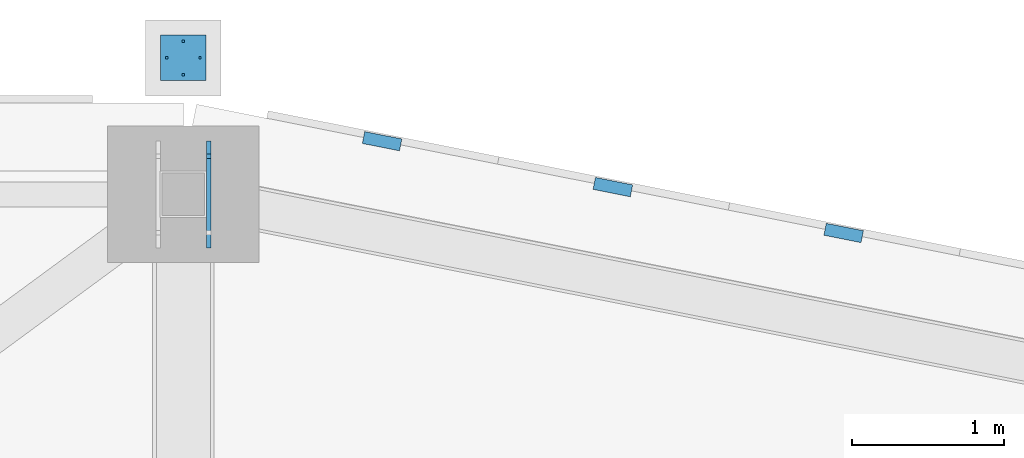
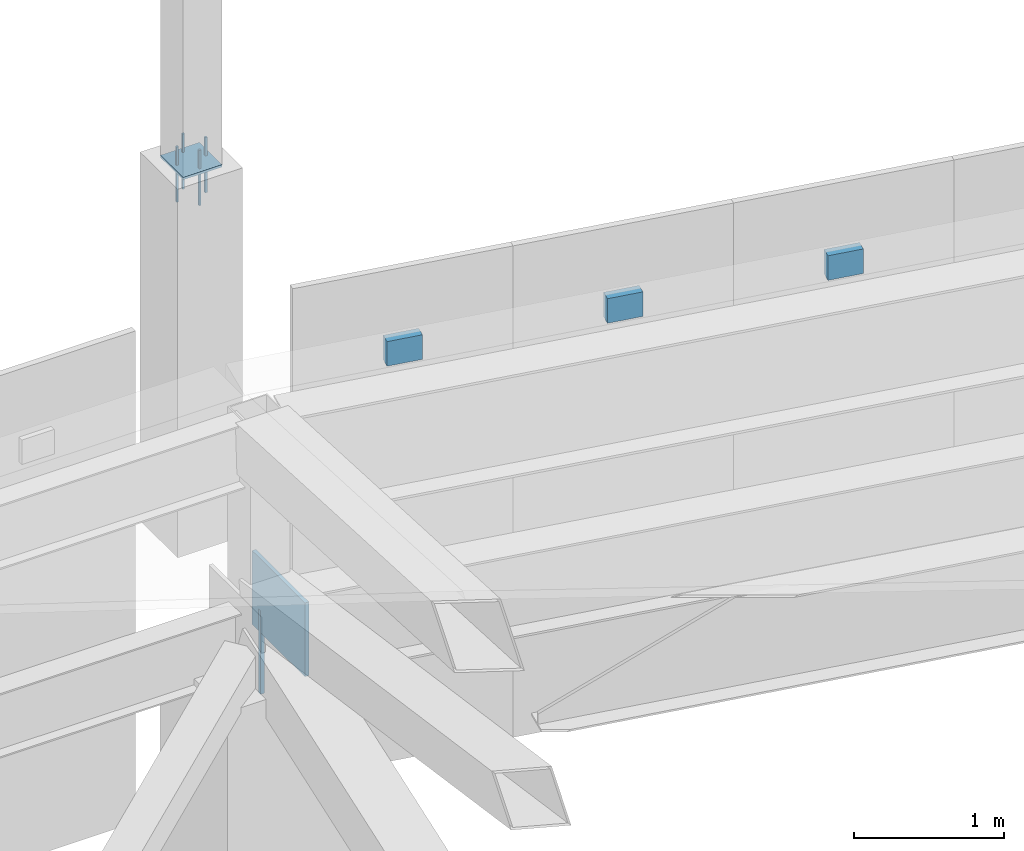
# One storey, part 247 of 278: 5 discrete accessories, 5 mechanical fasteners.
"""IFC4 building model written with IfcOpenShell, lengths in metres."""

from ifc_helpers import new_model, si_unit, direction, frame, origin, origin_2d, place, context, subcontext, project, spatial, rectangle, extrude, material, layer, layer_set, type_object, element, save


model = new_model("IFC4")

# Units and contexts
model_context = context("Model", 3, precision=1e-05, world=origin(), true_north=direction((0.0, 1.0)))
body_context = subcontext(model_context, "Body", "Model", "MODEL_VIEW")
ifc_project = project(units=[si_unit("LENGTHUNIT", "METRE"), si_unit("AREAUNIT", "SQUARE_METRE"), si_unit("VOLUMEUNIT", "CUBIC_METRE"), si_unit("PLANEANGLEUNIT", "RADIAN"), si_unit("MASSUNIT", "GRAM", prefix="KILO")], contexts=[model_context])

# Site, building, storey
site_placement = place(None, origin())
site = spatial("IfcSite", under=ifc_project, at=site_placement, CompositionType="ELEMENT")
building_placement = place(site_placement, origin())
building = spatial("IfcBuilding", under=site, at=building_placement, Name="Ogive Plaza Stadium", CompositionType="ELEMENT")
storey_placement = place(building_placement, frame((0.0, 0.0, 29.0)))
storey = spatial("IfcBuildingStorey", under=building, at=storey_placement, Name="Roof", CompositionType="ELEMENT", Elevation=29.0)

# Mechanical fasteners
ifc_material_1 = material(Name="Steel ASTM A992 Grade 50", Category="steel")
mechanical_fastener_type_1 = type_object("IfcMechanicalFastenerType", Name="Anchor bolt M30 x 600", PredefinedType="ANCHORBOLT", material=ifc_material_1)
mechanical_fastener_placement = place(storey_placement, frame((34.16650390625, 102.75244140625, 3.0), z_axis=(0.0, 0.0, 1.0), x_axis=(0.0, 1.0, 0.0)))
element("IfcMechanicalFastener", 1, at=mechanical_fastener_placement, inside=storey, type_object=mechanical_fastener_type_1, Name="ANCHOR BOLT 37 BF 2.1", PredefinedType="ANCHORBOLT", context=body_context, shape_type="SweptSolid", body=[
    extrude(rectangle(XDim=0.030029296875, YDim=0.030029296875, at=origin_2d()), origin(), (0.0, 0.0, 1.0), 0.679931640625),
])
ifc_material_2 = material(Name="Steel ASTM A992 Grade 50", Category="steel")
mechanical_fastener_type_2 = type_object("IfcMechanicalFastenerType", Name="Spire anchor bolt M16 x 450", PredefinedType="ANCHORBOLT", material=ifc_material_2)
for number, where, z_axis, x_axis, name in (
    (2, (34.0, 103.510009765625, 6.7001953125), (0.0, 0.0, 1.0), (0.0, 1.0, 0.0), "SPIRE ANCHOR BOLT 37 1"),
    (3, (34.0, 103.2900390625, 6.7001953125), (0.0, 0.0, 1.0), (0.0, 1.0, 0.0), "SPIRE ANCHOR BOLT 37 2"),
    (4, (33.889892578125, 103.39990234375, 6.7001953125), (0.0, 0.0, 1.0), (0.0, 1.0, 0.0), "SPIRE ANCHOR BOLT 37 3"),
    (5, (34.110107421875, 103.39990234375, 6.7001953125), (0.0, 0.0, 1.0), (0.0, 1.0, 0.0), "SPIRE ANCHOR BOLT 37 4"),
):
    element("IfcMechanicalFastener", number, at=place(storey_placement, frame(where, z_axis=z_axis, x_axis=x_axis)), inside=storey, type_object=mechanical_fastener_type_2, Name=name, PredefinedType="ANCHORBOLT", context=body_context, shape_type="SweptSolid", body=[
        extrude(rectangle(XDim=0.01611328125, YDim=0.01611328125, at=origin_2d()), origin(), (0.0, 0.0, 1.0), 0.449951171875),
    ])

# Discrete accessories
ifc_material_3 = material(Name="Steel ASTM A992 Grade 50", Category="steel")
ifc_layer_1 = layer(ifc_material_3, 0.02001953125)
ifc_layer_set_1 = layer_set([ifc_layer_1], Name="Steel ASTM A992 Grade 50")
discrete_accessory_type_1 = type_object("IfcDiscreteAccessoryType", Name="Spire seat plate 20", PredefinedType="ANCHORPLATE", material=ifc_layer_set_1)
discrete_accessory_1_placement = place(storey_placement, frame((34.0, 103.39990234375, 6.98095703125), z_axis=(0.0, 0.0, 1.0), x_axis=(0.0, 1.0, 0.0)))
element("IfcDiscreteAccessory", 6, at=discrete_accessory_1_placement, inside=storey, type_object=discrete_accessory_type_1, Name="SPIRE SEAT PLATE 37", PredefinedType="ANCHORPLATE", context=body_context, shape_type="SweptSolid", body=[
    extrude(rectangle(XDim=0.300048828125, YDim=0.300048828125, at=origin_2d()), origin(), (0.0, 0.0, 1.0), 0.02001953125),
])
ifc_material_4 = material(Name="Steel ASTM A572 Grade 50", Category="steel")
ifc_layer_2 = layer(ifc_material_4, 0.080078125)
ifc_layer_set_2 = layer_set([ifc_layer_2], Name="Steel ASTM A572 Grade 50")
discrete_accessory_type_2 = type_object("IfcDiscreteAccessoryType", Name="Tracery screen bracket 250x200", PredefinedType="BRACKET", material=ifc_layer_set_2)
for number, where, z_axis, x_axis, name in (
    (7, (35.311279296875, 102.850341796875, 5.25), (0.0, 0.0, 1.0), (0.980785280403, -0.195090322016, 0.0), "TRACERY SCREEN BRACKET B37 1"),
    (8, (36.83349609375, 102.547607421875, 5.25), (0.0, 0.0, 1.0), (0.980785280403, -0.195090322016, 0.0), "TRACERY SCREEN BRACKET B37 2"),
    (9, (38.355712890625, 102.244873046875, 5.25), (0.0, 0.0, 1.0), (0.980785280403, -0.195090322016, 0.0), "TRACERY SCREEN BRACKET B37 3"),
):
    element("IfcDiscreteAccessory", number, at=place(storey_placement, frame(where, z_axis=z_axis, x_axis=x_axis)), inside=storey, type_object=discrete_accessory_type_2, Name=name, PredefinedType="BRACKET", context=body_context, shape_type="SweptSolid", body=[
        extrude(rectangle(XDim=0.25, YDim=0.080078125, at=origin_2d()), origin(), (0.0, 0.0, 1.0), 0.199951171875),
    ])
ifc_material_5 = material(Name="Steel ASTM A992 Grade 50", Category="steel")
ifc_layer_3 = layer(ifc_material_5, 0.030029296875)
ifc_layer_set_3 = layer_set([ifc_layer_3], Name="Steel ASTM A992 Grade 50")
discrete_accessory_type_3 = type_object("IfcDiscreteAccessoryType", Name="Truss back-stay foot cleat plate 30", PredefinedType="ANCHORPLATE", material=ifc_layer_set_3)
discrete_accessory_2_placement = place(storey_placement, frame((34.16650390625, 102.5, 3.5), z_axis=(0.0, 0.0, 1.0), x_axis=(0.0, 1.0, 0.0)))
element("IfcDiscreteAccessory", 10, at=discrete_accessory_2_placement, inside=storey, type_object=discrete_accessory_type_3, Name="TRUSS BACK-STAY FOOT CLEAT PLATE 37 2", PredefinedType="ANCHORPLATE", context=body_context, shape_type="SweptSolid", body=[
    extrude(rectangle(XDim=0.704833984375, YDim=0.030029296875, at=origin_2d()), origin(), (0.0, 0.0, 1.0), 0.60009765625),
])

save(model, "model.ifc")
